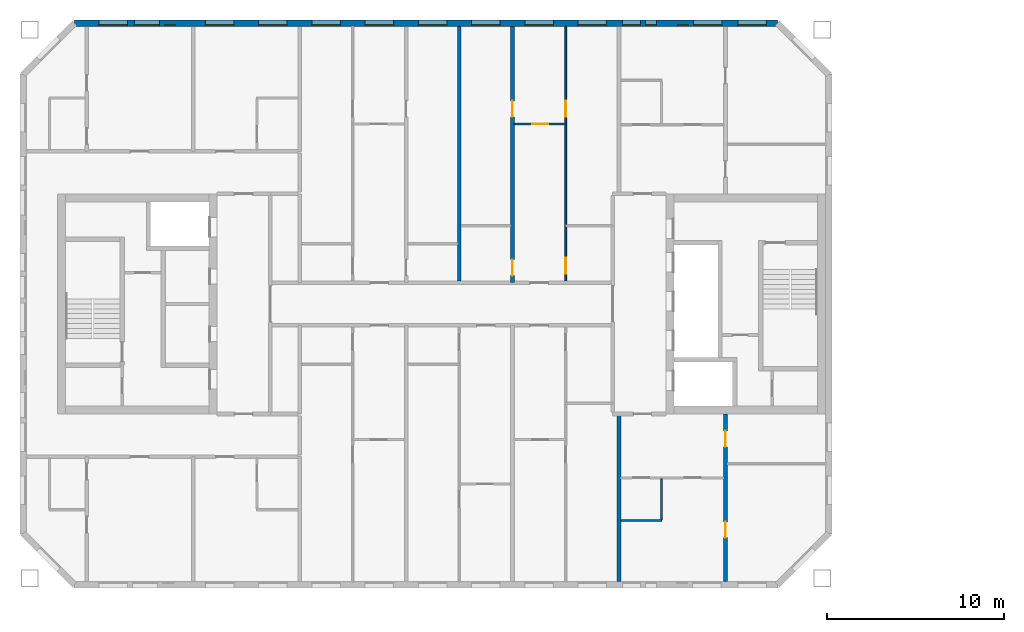
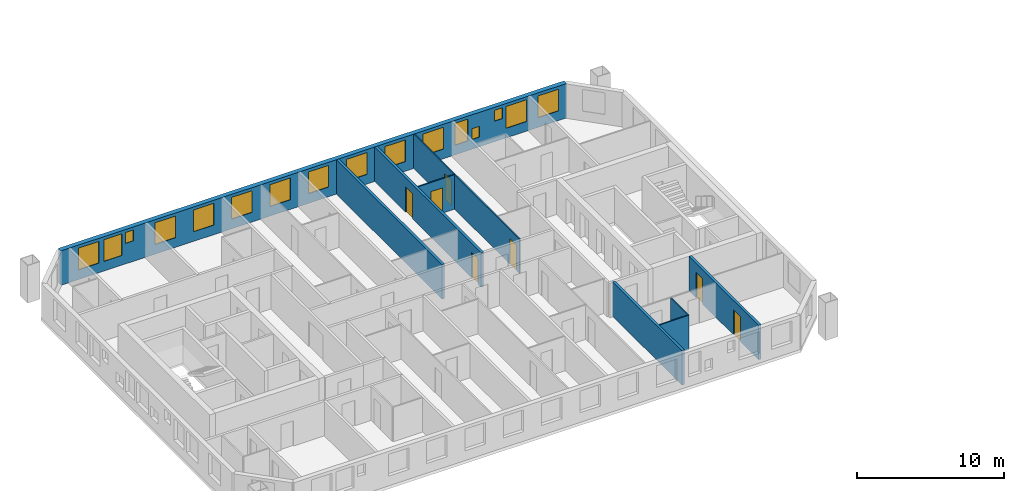
# One storey, part 6 of 16: 16 windows, 9 walls, 7 doors, 23 openings.
"""IFC4 building model written with IfcOpenShell, lengths in metres."""

from ifc_helpers import new_model, si_unit, direction, frame, frame_2d, origin, place, context, subcontext, project, spatial, rectangle, extrude, material, layer, layer_set, type_object, element, fill, save


model = new_model("IFC4")

# Units and contexts
model_context = context("Model", 3, precision=1e-05, world=origin(), true_north=direction((0.0, 1.0)))
body_context = subcontext(model_context, "Body", "Model", "MODEL_VIEW")
ifc_project = project(units=[si_unit("LENGTHUNIT", "METRE"), si_unit("AREAUNIT", "SQUARE_METRE"), si_unit("VOLUMEUNIT", "CUBIC_METRE"), si_unit("PLANEANGLEUNIT", "RADIAN"), si_unit("MASSUNIT", "GRAM", prefix="KILO")], contexts=[model_context])

# Site, building, storey
site_placement = place(None, origin())
site = spatial("IfcSite", under=ifc_project, at=site_placement, CompositionType="ELEMENT")
building_placement = place(site_placement, origin())
building = spatial("IfcBuilding", under=site, at=building_placement, Name="Tuart Gate Housing", CompositionType="ELEMENT")
storey_placement = place(building_placement, frame((0.0, 0.0, 178.89990234375)))
storey = spatial("IfcBuildingStorey", under=building, at=storey_placement, Name="L50", CompositionType="ELEMENT", Elevation=178.89990234375)

# Wall, openings, windows
ifc_material_1 = material(Name="Brick", Category="masonry")
ifc_layer_1 = layer(ifc_material_1, 0.360107421875)
ifc_layer_set_1 = layer_set([ifc_layer_1], Name="Brick pier and spandrel wall 360")
wall_type_1 = type_object("IfcWallType", Name="Brick pier and spandrel wall 360", PredefinedType="STANDARD", material=ifc_layer_set_1)
wall_1_placement = place(storey_placement, frame((72.92529296875, 85.820068359375, 0.0), z_axis=(0.0, 0.0, 1.0), x_axis=(-1.0, 0.0, 0.0)))
wall_1 = element("IfcWall", 1, at=wall_1_placement, inside=storey, type_object=wall_type_1, Name="External wall A-N L50", PredefinedType="STANDARD", context=body_context, shape_type="SweptSolid", body=[
    extrude(rectangle(XDim=39.600830078125, YDim=0.360107421875, at=frame_2d((19.80029296875, 0.0))), origin(), (0.0, 0.0, 1.0), 2.85009765625),
])
opening_1_placement = place(wall_1_placement, frame((0.62548828125, 0.0, 0.800048828125)))
opening_1 = element("IfcOpeningElement", 2, at=opening_1_placement, cuts=wall_1, Name="Opening W1", PredefinedType="OPENING", context=body_context, shape_type="SweptSolid", body=[
    extrude(rectangle(XDim=1.60009765625, YDim=1.800048828125, at=frame_2d((0.800048828125, 0.89990234375))), frame((0.0, 0.18994140625, 0.0), z_axis=(0.0, -1.0, 0.0), x_axis=(1.0, 0.0, 0.0)), (0.0, 0.0, 1.0), 0.380126953125),
])
opening_2_placement = place(wall_1_placement, frame((3.12548828125, 0.0, 0.800048828125)))
opening_2 = element("IfcOpeningElement", 3, at=opening_2_placement, cuts=wall_1, Name="Opening W1", PredefinedType="OPENING", context=body_context, shape_type="SweptSolid", body=[
    extrude(rectangle(XDim=1.60009765625, YDim=1.800048828125, at=frame_2d((0.800048828125, 0.89990234375))), frame((0.0, 0.18994140625, 0.0), z_axis=(0.0, -1.0, 0.0), x_axis=(1.0, 0.0, 0.0)), (0.0, 0.0, 1.0), 0.380126953125),
])
opening_3_placement = place(wall_1_placement, frame((5.025390625, 0.0, 1.699951171875)))
opening_3 = element("IfcOpeningElement", 4, at=opening_3_placement, cuts=wall_1, Name="Opening W1W", PredefinedType="OPENING", context=body_context, shape_type="SweptSolid", body=[
    extrude(rectangle(XDim=0.60009765625, YDim=0.89990234375, at=frame_2d((0.300048828125, 0.449951171875))), frame((0.0, 0.18994140625, 0.0), z_axis=(0.0, -1.0, 0.0), x_axis=(1.0, 0.0, 0.0)), (0.0, 0.0, 1.0), 0.380126953125),
])
opening_4_placement = place(wall_1_placement, frame((9.62548828125, 0.0, 0.800048828125)))
opening_4 = element("IfcOpeningElement", 5, at=opening_4_placement, cuts=wall_1, Name="Opening W1", PredefinedType="OPENING", context=body_context, shape_type="SweptSolid", body=[
    extrude(rectangle(XDim=1.60009765625, YDim=1.800048828125, at=frame_2d((0.800048828125, 0.89990234375))), frame((0.0, 0.18994140625, 0.0), z_axis=(0.0, -1.0, 0.0), x_axis=(1.0, 0.0, 0.0)), (0.0, 0.0, 1.0), 0.380126953125),
])
opening_5_placement = place(wall_1_placement, frame((12.62548828125, 0.0, 0.800048828125)))
opening_5 = element("IfcOpeningElement", 6, at=opening_5_placement, cuts=wall_1, Name="Opening W1", PredefinedType="OPENING", context=body_context, shape_type="SweptSolid", body=[
    extrude(rectangle(XDim=1.60009765625, YDim=1.800048828125, at=frame_2d((0.800048828125, 0.89990234375))), frame((0.0, 0.18994140625, 0.0), z_axis=(0.0, -1.0, 0.0), x_axis=(1.0, 0.0, 0.0)), (0.0, 0.0, 1.0), 0.380126953125),
])
opening_6_placement = place(wall_1_placement, frame((15.62548828125, 0.0, 0.800048828125)))
opening_6 = element("IfcOpeningElement", 7, at=opening_6_placement, cuts=wall_1, Name="Opening W1", PredefinedType="OPENING", context=body_context, shape_type="SweptSolid", body=[
    extrude(rectangle(XDim=1.60009765625, YDim=1.800048828125, at=frame_2d((0.800048828125, 0.89990234375))), frame((0.0, 0.18994140625, 0.0), z_axis=(0.0, -1.0, 0.0), x_axis=(1.0, 0.0, 0.0)), (0.0, 0.0, 1.0), 0.380126953125),
])
opening_7_placement = place(wall_1_placement, frame((18.62548828125, 0.0, 0.800048828125)))
opening_7 = element("IfcOpeningElement", 8, at=opening_7_placement, cuts=wall_1, Name="Opening W1", PredefinedType="OPENING", context=body_context, shape_type="SweptSolid", body=[
    extrude(rectangle(XDim=1.60009765625, YDim=1.800048828125, at=frame_2d((0.800048828125, 0.89990234375))), frame((0.0, 0.18994140625, 0.0), z_axis=(0.0, -1.0, 0.0), x_axis=(1.0, 0.0, 0.0)), (0.0, 0.0, 1.0), 0.380126953125),
])
opening_8_placement = place(wall_1_placement, frame((21.62548828125, 0.0, 0.800048828125)))
opening_8 = element("IfcOpeningElement", 9, at=opening_8_placement, cuts=wall_1, Name="Opening W1", PredefinedType="OPENING", context=body_context, shape_type="SweptSolid", body=[
    extrude(rectangle(XDim=1.60009765625, YDim=1.800048828125, at=frame_2d((0.800048828125, 0.89990234375))), frame((0.0, 0.18994140625, 0.0), z_axis=(0.0, -1.0, 0.0), x_axis=(1.0, 0.0, 0.0)), (0.0, 0.0, 1.0), 0.380126953125),
])
opening_9_placement = place(wall_1_placement, frame((24.62548828125, 0.0, 0.800048828125)))
opening_9 = element("IfcOpeningElement", 10, at=opening_9_placement, cuts=wall_1, Name="Opening W1", PredefinedType="OPENING", context=body_context, shape_type="SweptSolid", body=[
    extrude(rectangle(XDim=1.60009765625, YDim=1.800048828125, at=frame_2d((0.800048828125, 0.89990234375))), frame((0.0, 0.18994140625, 0.0), z_axis=(0.0, -1.0, 0.0), x_axis=(1.0, 0.0, 0.0)), (0.0, 0.0, 1.0), 0.380126953125),
])
opening_10_placement = place(wall_1_placement, frame((27.62548828125, 0.0, 0.800048828125)))
opening_10 = element("IfcOpeningElement", 11, at=opening_10_placement, cuts=wall_1, Name="Opening W1", PredefinedType="OPENING", context=body_context, shape_type="SweptSolid", body=[
    extrude(rectangle(XDim=1.60009765625, YDim=1.800048828125, at=frame_2d((0.800048828125, 0.89990234375))), frame((0.0, 0.18994140625, 0.0), z_axis=(0.0, -1.0, 0.0), x_axis=(1.0, 0.0, 0.0)), (0.0, 0.0, 1.0), 0.380126953125),
])
opening_11_placement = place(wall_1_placement, frame((30.62548828125, 0.0, 0.800048828125)))
opening_11 = element("IfcOpeningElement", 12, at=opening_11_placement, cuts=wall_1, Name="Opening W1", PredefinedType="OPENING", context=body_context, shape_type="SweptSolid", body=[
    extrude(rectangle(XDim=1.60009765625, YDim=1.800048828125, at=frame_2d((0.800048828125, 0.89990234375))), frame((0.0, 0.18994140625, 0.0), z_axis=(0.0, -1.0, 0.0), x_axis=(1.0, 0.0, 0.0)), (0.0, 0.0, 1.0), 0.380126953125),
])
opening_12_placement = place(wall_1_placement, frame((33.92529296875, 0.0, 1.699951171875)))
opening_12 = element("IfcOpeningElement", 13, at=opening_12_placement, cuts=wall_1, Name="Opening W1W", PredefinedType="OPENING", context=body_context, shape_type="SweptSolid", body=[
    extrude(rectangle(XDim=0.60009765625, YDim=0.89990234375, at=frame_2d((0.300048828125, 0.449951171875))), frame((0.0, 0.18994140625, 0.0), z_axis=(0.0, -1.0, 0.0), x_axis=(1.0, 0.0, 0.0)), (0.0, 0.0, 1.0), 0.380126953125),
])
opening_13_placement = place(wall_1_placement, frame((36.62548828125, 0.0, 0.800048828125)))
opening_13 = element("IfcOpeningElement", 14, at=opening_13_placement, cuts=wall_1, Name="Opening W1", PredefinedType="OPENING", context=body_context, shape_type="SweptSolid", body=[
    extrude(rectangle(XDim=1.60009765625, YDim=1.800048828125, at=frame_2d((0.800048828125, 0.89990234375))), frame((0.0, 0.18994140625, 0.0), z_axis=(0.0, -1.0, 0.0), x_axis=(1.0, 0.0, 0.0)), (0.0, 0.0, 1.0), 0.380126953125),
])
opening_14_placement = place(wall_1_placement, frame((6.825439453125, 0.0, 0.800048828125)))
opening_14 = element("IfcOpeningElement", 15, at=opening_14_placement, cuts=wall_1, Name="Opening W1W", PredefinedType="OPENING", context=body_context, shape_type="SweptSolid", body=[
    extrude(rectangle(XDim=0.60009765625, YDim=0.89990234375, at=frame_2d((0.300048828125, 0.449951171875))), frame((0.0, 0.18994140625, 0.0), z_axis=(0.0, -1.0, 0.0), x_axis=(1.0, 0.0, 0.0)), (0.0, 0.0, 1.0), 0.380126953125),
])
opening_15_placement = place(wall_1_placement, frame((7.725341796875, 0.0, 0.800048828125)))
opening_15 = element("IfcOpeningElement", 16, at=opening_15_placement, cuts=wall_1, Name="Opening W1C", PredefinedType="OPENING", context=body_context, shape_type="SweptSolid", body=[
    extrude(rectangle(XDim=1.0, YDim=1.800048828125, at=frame_2d((0.5, 0.89990234375))), frame((0.0, 0.18994140625, 0.0), z_axis=(0.0, -1.0, 0.0), x_axis=(1.0, 0.0, 0.0)), (0.0, 0.0, 1.0), 0.380126953125),
])
opening_16_placement = place(wall_1_placement, frame((34.825439453125, 0.0, 0.800048828125)))
opening_16 = element("IfcOpeningElement", 17, at=opening_16_placement, cuts=wall_1, Name="Opening W1A", PredefinedType="OPENING", context=body_context, shape_type="SweptSolid", body=[
    extrude(rectangle(XDim=1.39990234375, YDim=1.800048828125, at=frame_2d((0.699951171875, 0.89990234375))), frame((0.0, 0.18994140625, 0.0), z_axis=(0.0, -1.0, 0.0), x_axis=(1.0, 0.0, 0.0)), (0.0, 0.0, 1.0), 0.380126953125),
])
ifc_material_2 = material(Name="Aluminium frame with clear glass", Category="aluminium")
window_type_1 = type_object("IfcWindowType", Name="Punched window 1000 x 1800", PartitioningType="SINGLE_PANEL", PredefinedType="WINDOW", material=ifc_material_2)
window_1_placement = place(opening_15_placement, origin())
window_1 = element("IfcWindow", 18, at=window_1_placement, inside=storey, type_object=window_type_1, Name="Window W1C", OverallHeight=1.800048828125, OverallWidth=1.0, PartitioningType="SINGLE_PANEL", PredefinedType="WINDOW", context=body_context, shape_type="SweptSolid", body=[
    extrude(rectangle(XDim=1.0, YDim=1.800048828125, at=frame_2d((0.5, 0.89990234375))), frame((0.0, 0.150146484375, 0.0), z_axis=(0.0, -1.0, 0.0), x_axis=(1.0, 0.0, 0.0)), (0.0, 0.0, 1.0), 0.06005859375),
])
fill(opening_15, window_1)
ifc_material_3 = material(Name="Aluminium frame with clear glass", Category="aluminium")
window_type_2 = type_object("IfcWindowType", Name="Punched window 1400 x 1800", PartitioningType="SINGLE_PANEL", PredefinedType="WINDOW", material=ifc_material_3)
window_2_placement = place(opening_16_placement, origin())
window_2 = element("IfcWindow", 19, at=window_2_placement, inside=storey, type_object=window_type_2, Name="Window W1A", OverallHeight=1.800048828125, OverallWidth=1.39990234375, PartitioningType="SINGLE_PANEL", PredefinedType="WINDOW", context=body_context, shape_type="SweptSolid", body=[
    extrude(rectangle(XDim=1.39990234375, YDim=1.800048828125, at=frame_2d((0.699951171875, 0.89990234375))), frame((0.0, 0.150146484375, 0.0), z_axis=(0.0, -1.0, 0.0), x_axis=(1.0, 0.0, 0.0)), (0.0, 0.0, 1.0), 0.06005859375),
])
fill(opening_16, window_2)
ifc_material_4 = material(Name="Aluminium frame with clear glass", Category="aluminium")
window_type_3 = type_object("IfcWindowType", Name="Punched window 1600 x 1800", PartitioningType="SINGLE_PANEL", PredefinedType="WINDOW", material=ifc_material_4)
window_3_placement = place(opening_1_placement, origin())
window_3 = element("IfcWindow", 20, at=window_3_placement, inside=storey, type_object=window_type_3, Name="Window W1", OverallHeight=1.800048828125, OverallWidth=1.60009765625, PartitioningType="SINGLE_PANEL", PredefinedType="WINDOW", context=body_context, shape_type="SweptSolid", body=[
    extrude(rectangle(XDim=1.60009765625, YDim=1.800048828125, at=frame_2d((0.800048828125, 0.89990234375))), frame((0.0, 0.150146484375, 0.0), z_axis=(0.0, -1.0, 0.0), x_axis=(1.0, 0.0, 0.0)), (0.0, 0.0, 1.0), 0.06005859375),
])
fill(opening_1, window_3)
window_4_placement = place(opening_2_placement, origin())
window_4 = element("IfcWindow", 21, at=window_4_placement, inside=storey, type_object=window_type_3, Name="Window W1", OverallHeight=1.800048828125, OverallWidth=1.60009765625, PartitioningType="SINGLE_PANEL", PredefinedType="WINDOW", context=body_context, shape_type="SweptSolid", body=[
    extrude(rectangle(XDim=1.60009765625, YDim=1.800048828125, at=frame_2d((0.800048828125, 0.89990234375))), frame((0.0, 0.150146484375, 0.0), z_axis=(0.0, -1.0, 0.0), x_axis=(1.0, 0.0, 0.0)), (0.0, 0.0, 1.0), 0.06005859375),
])
fill(opening_2, window_4)
window_5_placement = place(opening_4_placement, origin())
window_5 = element("IfcWindow", 22, at=window_5_placement, inside=storey, type_object=window_type_3, Name="Window W1", OverallHeight=1.800048828125, OverallWidth=1.60009765625, PartitioningType="SINGLE_PANEL", PredefinedType="WINDOW", context=body_context, shape_type="SweptSolid", body=[
    extrude(rectangle(XDim=1.60009765625, YDim=1.800048828125, at=frame_2d((0.800048828125, 0.89990234375))), frame((0.0, 0.150146484375, 0.0), z_axis=(0.0, -1.0, 0.0), x_axis=(1.0, 0.0, 0.0)), (0.0, 0.0, 1.0), 0.06005859375),
])
fill(opening_4, window_5)
window_6_placement = place(opening_5_placement, origin())
window_6 = element("IfcWindow", 23, at=window_6_placement, inside=storey, type_object=window_type_3, Name="Window W1", OverallHeight=1.800048828125, OverallWidth=1.60009765625, PartitioningType="SINGLE_PANEL", PredefinedType="WINDOW", context=body_context, shape_type="SweptSolid", body=[
    extrude(rectangle(XDim=1.60009765625, YDim=1.800048828125, at=frame_2d((0.800048828125, 0.89990234375))), frame((0.0, 0.150146484375, 0.0), z_axis=(0.0, -1.0, 0.0), x_axis=(1.0, 0.0, 0.0)), (0.0, 0.0, 1.0), 0.06005859375),
])
fill(opening_5, window_6)
window_7_placement = place(opening_6_placement, origin())
window_7 = element("IfcWindow", 24, at=window_7_placement, inside=storey, type_object=window_type_3, Name="Window W1", OverallHeight=1.800048828125, OverallWidth=1.60009765625, PartitioningType="SINGLE_PANEL", PredefinedType="WINDOW", context=body_context, shape_type="SweptSolid", body=[
    extrude(rectangle(XDim=1.60009765625, YDim=1.800048828125, at=frame_2d((0.800048828125, 0.89990234375))), frame((0.0, 0.150146484375, 0.0), z_axis=(0.0, -1.0, 0.0), x_axis=(1.0, 0.0, 0.0)), (0.0, 0.0, 1.0), 0.06005859375),
])
fill(opening_6, window_7)
window_8_placement = place(opening_7_placement, origin())
window_8 = element("IfcWindow", 25, at=window_8_placement, inside=storey, type_object=window_type_3, Name="Window W1", OverallHeight=1.800048828125, OverallWidth=1.60009765625, PartitioningType="SINGLE_PANEL", PredefinedType="WINDOW", context=body_context, shape_type="SweptSolid", body=[
    extrude(rectangle(XDim=1.60009765625, YDim=1.800048828125, at=frame_2d((0.800048828125, 0.89990234375))), frame((0.0, 0.150146484375, 0.0), z_axis=(0.0, -1.0, 0.0), x_axis=(1.0, 0.0, 0.0)), (0.0, 0.0, 1.0), 0.06005859375),
])
fill(opening_7, window_8)
window_9_placement = place(opening_8_placement, origin())
window_9 = element("IfcWindow", 26, at=window_9_placement, inside=storey, type_object=window_type_3, Name="Window W1", OverallHeight=1.800048828125, OverallWidth=1.60009765625, PartitioningType="SINGLE_PANEL", PredefinedType="WINDOW", context=body_context, shape_type="SweptSolid", body=[
    extrude(rectangle(XDim=1.60009765625, YDim=1.800048828125, at=frame_2d((0.800048828125, 0.89990234375))), frame((0.0, 0.150146484375, 0.0), z_axis=(0.0, -1.0, 0.0), x_axis=(1.0, 0.0, 0.0)), (0.0, 0.0, 1.0), 0.06005859375),
])
fill(opening_8, window_9)
window_10_placement = place(opening_9_placement, origin())
window_10 = element("IfcWindow", 27, at=window_10_placement, inside=storey, type_object=window_type_3, Name="Window W1", OverallHeight=1.800048828125, OverallWidth=1.60009765625, PartitioningType="SINGLE_PANEL", PredefinedType="WINDOW", context=body_context, shape_type="SweptSolid", body=[
    extrude(rectangle(XDim=1.60009765625, YDim=1.800048828125, at=frame_2d((0.800048828125, 0.89990234375))), frame((0.0, 0.150146484375, 0.0), z_axis=(0.0, -1.0, 0.0), x_axis=(1.0, 0.0, 0.0)), (0.0, 0.0, 1.0), 0.06005859375),
])
fill(opening_9, window_10)
window_11_placement = place(opening_10_placement, origin())
window_11 = element("IfcWindow", 28, at=window_11_placement, inside=storey, type_object=window_type_3, Name="Window W1", OverallHeight=1.800048828125, OverallWidth=1.60009765625, PartitioningType="SINGLE_PANEL", PredefinedType="WINDOW", context=body_context, shape_type="SweptSolid", body=[
    extrude(rectangle(XDim=1.60009765625, YDim=1.800048828125, at=frame_2d((0.800048828125, 0.89990234375))), frame((0.0, 0.150146484375, 0.0), z_axis=(0.0, -1.0, 0.0), x_axis=(1.0, 0.0, 0.0)), (0.0, 0.0, 1.0), 0.06005859375),
])
fill(opening_10, window_11)
window_12_placement = place(opening_11_placement, origin())
window_12 = element("IfcWindow", 29, at=window_12_placement, inside=storey, type_object=window_type_3, Name="Window W1", OverallHeight=1.800048828125, OverallWidth=1.60009765625, PartitioningType="SINGLE_PANEL", PredefinedType="WINDOW", context=body_context, shape_type="SweptSolid", body=[
    extrude(rectangle(XDim=1.60009765625, YDim=1.800048828125, at=frame_2d((0.800048828125, 0.89990234375))), frame((0.0, 0.150146484375, 0.0), z_axis=(0.0, -1.0, 0.0), x_axis=(1.0, 0.0, 0.0)), (0.0, 0.0, 1.0), 0.06005859375),
])
fill(opening_11, window_12)
window_13_placement = place(opening_13_placement, origin())
window_13 = element("IfcWindow", 30, at=window_13_placement, inside=storey, type_object=window_type_3, Name="Window W1", OverallHeight=1.800048828125, OverallWidth=1.60009765625, PartitioningType="SINGLE_PANEL", PredefinedType="WINDOW", context=body_context, shape_type="SweptSolid", body=[
    extrude(rectangle(XDim=1.60009765625, YDim=1.800048828125, at=frame_2d((0.800048828125, 0.89990234375))), frame((0.0, 0.150146484375, 0.0), z_axis=(0.0, -1.0, 0.0), x_axis=(1.0, 0.0, 0.0)), (0.0, 0.0, 1.0), 0.06005859375),
])
fill(opening_13, window_13)
ifc_material_5 = material(Name="Aluminium frame with clear glass", Category="aluminium")
window_type_4 = type_object("IfcWindowType", Name="Punched window 600 x 900", PartitioningType="SINGLE_PANEL", PredefinedType="WINDOW", material=ifc_material_5)
window_14_placement = place(opening_3_placement, origin())
window_14 = element("IfcWindow", 31, at=window_14_placement, inside=storey, type_object=window_type_4, Name="Window W1W", OverallHeight=0.89990234375, OverallWidth=0.60009765625, PartitioningType="SINGLE_PANEL", PredefinedType="WINDOW", context=body_context, shape_type="SweptSolid", body=[
    extrude(rectangle(XDim=0.60009765625, YDim=0.89990234375, at=frame_2d((0.300048828125, 0.449951171875))), frame((0.0, 0.150146484375, 0.0), z_axis=(0.0, -1.0, 0.0), x_axis=(1.0, 0.0, 0.0)), (0.0, 0.0, 1.0), 0.06005859375),
])
fill(opening_3, window_14)
window_15_placement = place(opening_12_placement, origin())
window_15 = element("IfcWindow", 32, at=window_15_placement, inside=storey, type_object=window_type_4, Name="Window W1W", OverallHeight=0.89990234375, OverallWidth=0.60009765625, PartitioningType="SINGLE_PANEL", PredefinedType="WINDOW", context=body_context, shape_type="SweptSolid", body=[
    extrude(rectangle(XDim=0.60009765625, YDim=0.89990234375, at=frame_2d((0.300048828125, 0.449951171875))), frame((0.0, 0.150146484375, 0.0), z_axis=(0.0, -1.0, 0.0), x_axis=(1.0, 0.0, 0.0)), (0.0, 0.0, 1.0), 0.06005859375),
])
fill(opening_12, window_15)
window_16_placement = place(opening_14_placement, origin())
window_16 = element("IfcWindow", 33, at=window_16_placement, inside=storey, type_object=window_type_4, Name="Window W1W", OverallHeight=0.89990234375, OverallWidth=0.60009765625, PartitioningType="SINGLE_PANEL", PredefinedType="WINDOW", context=body_context, shape_type="SweptSolid", body=[
    extrude(rectangle(XDim=0.60009765625, YDim=0.89990234375, at=frame_2d((0.300048828125, 0.449951171875))), frame((0.0, 0.150146484375, 0.0), z_axis=(0.0, -1.0, 0.0), x_axis=(1.0, 0.0, 0.0)), (0.0, 0.0, 1.0), 0.06005859375),
])
fill(opening_14, window_16)

# Wall
ifc_material_6 = material(Name="Gypsum board on steel studs", Category="steel")
ifc_layer_2 = layer(ifc_material_6, 0.10009765625)
ifc_layer_set_2 = layer_set([ifc_layer_2], Name="Partition 100")
wall_type_2 = type_object("IfcWallType", Name="Partition 100", PredefinedType="PARTITIONING", material=ifc_layer_set_2)
wall_2_placement = place(storey_placement, frame((64.10009765625, 57.800048828125, 0.0), z_axis=(0.0, 0.0, 1.0), x_axis=(1.0, 0.0, 0.0)))
element("IfcWall", 34, at=wall_2_placement, inside=storey, type_object=wall_type_2, Name="Partition 100", PredefinedType="PARTITIONING", context=body_context, shape_type="SweptSolid", body=[
    extrude(rectangle(XDim=2.2998046875, YDim=0.10009765625, at=frame_2d((1.14990234375, 0.0))), origin(), (0.0, 0.0, 1.0), 2.85009765625),
])

# Wall, opening, door
wall_3_placement = place(storey_placement, frame((58.10009765625, 80.139892578125, 0.0), z_axis=(0.0, 0.0, 1.0), x_axis=(1.0, 0.0, 0.0)))
wall_3 = element("IfcWall", 35, at=wall_3_placement, inside=storey, type_object=wall_type_2, Name="Partition 100", PredefinedType="PARTITIONING", context=body_context, shape_type="SweptSolid", body=[
    extrude(rectangle(XDim=2.89990234375, YDim=0.10009765625, at=frame_2d((1.449951171875, 0.0))), origin(), (0.0, 0.0, 1.0), 2.85009765625),
])
opening_17_placement = place(wall_3_placement, frame((1.0, 0.0, 0.0)))
opening_17 = element("IfcOpeningElement", 36, at=opening_17_placement, cuts=wall_3, Name="Opening D1738", PredefinedType="OPENING", context=body_context, shape_type="SweptSolid", body=[
    extrude(rectangle(XDim=0.89990234375, YDim=2.10009765625, at=frame_2d((0.449951171875, 1.050048828125))), frame((0.0, 0.06005859375, 0.0), z_axis=(0.0, -1.0, 0.0), x_axis=(1.0, 0.0, 0.0)), (0.0, 0.0, 1.0), 0.1201171875),
])
ifc_material_7 = material(Name="Timber door leaf in steel frame", Category="steel")
door_type_1 = type_object("IfcDoorType", Name="Internal door 900", OperationType="SINGLE_SWING_LEFT", PredefinedType="DOOR", material=ifc_material_7)
door_1_placement = place(opening_17_placement, frame((0.89990234375, 0.0, 0.0), z_axis=(0.0, 0.0, 1.0), x_axis=(-1.0, 0.0, 0.0)))
door_1 = element("IfcDoor", 37, at=door_1_placement, inside=storey, type_object=door_type_1, Name="Internal door", OperationType="SINGLE_SWING_LEFT", OverallHeight=2.10009765625, OverallWidth=0.89990234375, PredefinedType="DOOR", context=body_context, shape_type="SweptSolid", body=[
    extrude(rectangle(XDim=0.89990234375, YDim=2.10009765625, at=frame_2d((0.449951171875, 1.050048828125))), frame((0.0, 0.025146484375, 0.0), z_axis=(0.0, -1.0, 0.0), x_axis=(1.0, 0.0, 0.0)), (0.0, 0.0, 1.0), 0.050048828125),
])
fill(opening_17, door_1)

# Wall, openings, doors
wall_4_placement = place(storey_placement, frame((61.0, 71.300048828125, 0.0), z_axis=(0.0, 0.0, 1.0), x_axis=(0.0, 1.0, 0.0)))
wall_4 = element("IfcWall", 38, at=wall_4_placement, inside=storey, type_object=wall_type_2, Name="Partition 100", PredefinedType="PARTITIONING", context=body_context, shape_type="SweptSolid", body=[
    extrude(rectangle(XDim=14.33984375, YDim=0.10009765625, at=frame_2d((7.169921875, 0.0))), origin(), (0.0, 0.0, 1.0), 2.85009765625),
])
opening_18_placement = place(wall_4_placement, frame((9.239990234375, 0.0, 0.0)))
opening_18 = element("IfcOpeningElement", 39, at=opening_18_placement, cuts=wall_4, Name="Opening D1747", PredefinedType="OPENING", context=body_context, shape_type="SweptSolid", body=[
    extrude(rectangle(XDim=0.89990234375, YDim=2.10009765625, at=frame_2d((0.449951171875, 1.050048828125))), frame((0.0, 0.06005859375, 0.0), z_axis=(0.0, -1.0, 0.0), x_axis=(1.0, 0.0, 0.0)), (0.0, 0.0, 1.0), 0.1201171875),
])
opening_19_placement = place(wall_4_placement, frame((0.39990234375, 0.0, 0.0)))
opening_19 = element("IfcOpeningElement", 40, at=opening_19_placement, cuts=wall_4, Name="Opening D1746", PredefinedType="OPENING", context=body_context, shape_type="SweptSolid", body=[
    extrude(rectangle(XDim=0.89990234375, YDim=2.10009765625, at=frame_2d((0.449951171875, 1.050048828125))), frame((0.0, 0.06005859375, 0.0), z_axis=(0.0, -1.0, 0.0), x_axis=(1.0, 0.0, 0.0)), (0.0, 0.0, 1.0), 0.1201171875),
])
ifc_material_8 = material(Name="Timber door leaf in steel frame", Category="steel")
door_type_2 = type_object("IfcDoorType", Name="Bathroom door 900 RH", OperationType="SINGLE_SWING_RIGHT", PredefinedType="DOOR", material=ifc_material_8)
door_2_placement = place(opening_19_placement, frame((0.89990234375, 0.0, 0.0), z_axis=(0.0, 0.0, 1.0), x_axis=(-1.0, 0.0, 0.0)))
door_2 = element("IfcDoor", 41, at=door_2_placement, inside=storey, type_object=door_type_2, Name="Bathroom door", OperationType="SINGLE_SWING_RIGHT", OverallHeight=2.10009765625, OverallWidth=0.89990234375, PredefinedType="DOOR", context=body_context, shape_type="SweptSolid", body=[
    extrude(rectangle(XDim=0.89990234375, YDim=2.10009765625, at=frame_2d((0.449951171875, 1.050048828125))), frame((0.0, 0.025146484375, 0.0), z_axis=(0.0, -1.0, 0.0), x_axis=(1.0, 0.0, 0.0)), (0.0, 0.0, 1.0), 0.050048828125),
])
fill(opening_19, door_2)
door_3_placement = place(opening_18_placement, frame((0.89990234375, 0.0, 0.0), z_axis=(0.0, 0.0, 1.0), x_axis=(-1.0, 0.0, 0.0)))
door_3 = element("IfcDoor", 42, at=door_3_placement, inside=storey, type_object=door_type_1, Name="Internal door", OperationType="SINGLE_SWING_LEFT", OverallHeight=2.10009765625, OverallWidth=0.89990234375, PredefinedType="DOOR", context=body_context, shape_type="SweptSolid", body=[
    extrude(rectangle(XDim=0.89990234375, YDim=2.10009765625, at=frame_2d((0.449951171875, 1.050048828125))), frame((0.0, 0.025146484375, 0.0), z_axis=(0.0, -1.0, 0.0), x_axis=(1.0, 0.0, 0.0)), (0.0, 0.0, 1.0), 0.050048828125),
])
fill(opening_18, door_3)

# Wall
wall_5_placement = place(storey_placement, frame((66.39990234375, 57.85009765625, 0.0), z_axis=(0.0, 0.0, 1.0), x_axis=(0.0, 1.0, 0.0)))
element("IfcWall", 43, at=wall_5_placement, inside=storey, type_object=wall_type_2, Name="Partition 100", PredefinedType="PARTITIONING", context=body_context, shape_type="SweptSolid", body=[
    extrude(rectangle(XDim=2.2998046875, YDim=0.10009765625, at=frame_2d((1.14990234375, 0.0))), origin(), (0.0, 0.0, 1.0), 2.85009765625),
])

# Wall, openings, doors
ifc_material_9 = material(Name="Concrete C40", Category="concrete")
ifc_layer_3 = layer(ifc_material_9, 0.199951171875)
ifc_layer_set_3 = layer_set([ifc_layer_3], Name="Party wall concrete C40 200")
wall_type_3 = type_object("IfcWallType", Name="Party wall concrete C40 200", PredefinedType="SOLIDWALL", material=ifc_layer_set_3)
wall_6_placement = place(storey_placement, frame((58.0, 71.199951171875, 0.0), z_axis=(0.0, 0.0, 1.0), x_axis=(0.0, 1.0, 0.0)))
wall_6 = element("IfcWall", 44, at=wall_6_placement, inside=storey, type_object=wall_type_3, Name="Party wall concrete C40 200", PredefinedType="SOLIDWALL", context=body_context, shape_type="SweptSolid", body=[
    extrude(rectangle(XDim=14.43994140625, YDim=0.199951171875, at=frame_2d((7.219970703125, 0.0))), origin(), (0.0, 0.0, 1.0), 2.85009765625),
])
opening_20_placement = place(wall_6_placement, frame((9.340087890625, 0.0, 0.0)))
opening_20 = element("IfcOpeningElement", 45, at=opening_20_placement, cuts=wall_6, Name="Opening D1751", PredefinedType="OPENING", context=body_context, shape_type="SweptSolid", body=[
    extrude(rectangle(XDim=0.89990234375, YDim=2.10009765625, at=frame_2d((0.449951171875, 1.050048828125))), frame((0.0, 0.10986328125, 0.0), z_axis=(0.0, -1.0, 0.0), x_axis=(1.0, 0.0, 0.0)), (0.0, 0.0, 1.0), 0.219970703125),
])
opening_21_placement = place(wall_6_placement, frame((0.39990234375, 0.0, 0.0)))
opening_21 = element("IfcOpeningElement", 46, at=opening_21_placement, cuts=wall_6, Name="Opening D1750", PredefinedType="OPENING", context=body_context, shape_type="SweptSolid", body=[
    extrude(rectangle(XDim=0.89990234375, YDim=2.10009765625, at=frame_2d((0.449951171875, 1.050048828125))), frame((0.0, 0.10986328125, 0.0), z_axis=(0.0, -1.0, 0.0), x_axis=(1.0, 0.0, 0.0)), (0.0, 0.0, 1.0), 0.219970703125),
])
ifc_material_10 = material(Name="Timber door leaf in steel frame", Category="steel")
door_type_3 = type_object("IfcDoorType", Name="Bathroom door 900", OperationType="SINGLE_SWING_LEFT", PredefinedType="DOOR", material=ifc_material_10)
door_4_placement = place(opening_21_placement, origin())
door_4 = element("IfcDoor", 47, at=door_4_placement, inside=storey, type_object=door_type_3, Name="Bathroom door", OperationType="SINGLE_SWING_LEFT", OverallHeight=2.10009765625, OverallWidth=0.89990234375, PredefinedType="DOOR", context=body_context, shape_type="SweptSolid", body=[
    extrude(rectangle(XDim=0.89990234375, YDim=2.10009765625, at=frame_2d((0.449951171875, 1.050048828125))), frame((0.0, 0.02490234375, 0.0), z_axis=(0.0, -1.0, 0.0), x_axis=(1.0, 0.0, 0.0)), (0.0, 0.0, 1.0), 0.050048828125),
])
fill(opening_21, door_4)
ifc_material_11 = material(Name="Timber door leaf in steel frame", Category="steel")
door_type_4 = type_object("IfcDoorType", Name="Internal door 900 RH", OperationType="SINGLE_SWING_RIGHT", PredefinedType="DOOR", material=ifc_material_11)
door_5_placement = place(opening_20_placement, origin())
door_5 = element("IfcDoor", 48, at=door_5_placement, inside=storey, type_object=door_type_4, Name="Internal door", OperationType="SINGLE_SWING_RIGHT", OverallHeight=2.10009765625, OverallWidth=0.89990234375, PredefinedType="DOOR", context=body_context, shape_type="SweptSolid", body=[
    extrude(rectangle(XDim=0.89990234375, YDim=2.10009765625, at=frame_2d((0.449951171875, 1.050048828125))), frame((0.0, 0.02490234375, 0.0), z_axis=(0.0, -1.0, 0.0), x_axis=(1.0, 0.0, 0.0)), (0.0, 0.0, 1.0), 0.050048828125),
])
fill(opening_20, door_5)

# Wall
wall_7_placement = place(storey_placement, frame((64.0, 54.360107421875, 0.0), z_axis=(0.0, 0.0, 1.0), x_axis=(0.0, 1.0, 0.0)))
element("IfcWall", 49, at=wall_7_placement, inside=storey, type_object=wall_type_3, Name="Party wall concrete C40 200", PredefinedType="SOLIDWALL", context=body_context, shape_type="SweptSolid", body=[
    extrude(rectangle(XDim=9.43994140625, YDim=0.199951171875, at=frame_2d((4.719970703125, 0.0))), origin(), (0.0, 0.0, 1.0), 2.85009765625),
])

# Wall, openings, doors
wall_8_placement = place(storey_placement, frame((70.0, 54.360107421875, 0.0), z_axis=(0.0, 0.0, 1.0), x_axis=(0.0, 1.0, 0.0)))
wall_8 = element("IfcWall", 50, at=wall_8_placement, inside=storey, type_object=wall_type_3, Name="Party wall concrete C40 200", PredefinedType="SOLIDWALL", context=body_context, shape_type="SweptSolid", body=[
    extrude(rectangle(XDim=9.43994140625, YDim=0.199951171875, at=frame_2d((4.719970703125, 0.0))), origin(), (0.0, 0.0, 1.0), 2.85009765625),
])
opening_22_placement = place(wall_8_placement, frame((2.469970703125, 0.0, 0.0)))
opening_22 = element("IfcOpeningElement", 51, at=opening_22_placement, cuts=wall_8, Name="Opening D1787", PredefinedType="OPENING", context=body_context, shape_type="SweptSolid", body=[
    extrude(rectangle(XDim=0.89990234375, YDim=2.10009765625, at=frame_2d((0.449951171875, 1.050048828125))), frame((0.0, 0.10986328125, 0.0), z_axis=(0.0, -1.0, 0.0), x_axis=(1.0, 0.0, 0.0)), (0.0, 0.0, 1.0), 0.219970703125),
])
opening_23_placement = place(wall_8_placement, frame((7.590087890625, 0.0, 0.0)))
opening_23 = element("IfcOpeningElement", 52, at=opening_23_placement, cuts=wall_8, Name="Opening D1788", PredefinedType="OPENING", context=body_context, shape_type="SweptSolid", body=[
    extrude(rectangle(XDim=0.89990234375, YDim=2.10009765625, at=frame_2d((0.449951171875, 1.050048828125))), frame((0.0, 0.10986328125, 0.0), z_axis=(0.0, -1.0, 0.0), x_axis=(1.0, 0.0, 0.0)), (0.0, 0.0, 1.0), 0.219970703125),
])
door_6_placement = place(opening_22_placement, frame((0.89990234375, 0.0, 0.0), z_axis=(0.0, 0.0, 1.0), x_axis=(-1.0, 0.0, 0.0)))
door_6 = element("IfcDoor", 53, at=door_6_placement, inside=storey, type_object=door_type_4, Name="Internal door", OperationType="SINGLE_SWING_RIGHT", OverallHeight=2.10009765625, OverallWidth=0.89990234375, PredefinedType="DOOR", context=body_context, shape_type="SweptSolid", body=[
    extrude(rectangle(XDim=0.89990234375, YDim=2.10009765625, at=frame_2d((0.449951171875, 1.050048828125))), frame((0.0, 0.025146484375, 0.0), z_axis=(0.0, -1.0, 0.0), x_axis=(1.0, 0.0, 0.0)), (0.0, 0.0, 1.0), 0.050048828125),
])
fill(opening_22, door_6)
door_7_placement = place(opening_23_placement, frame((0.89990234375, 0.0, 0.0), z_axis=(0.0, 0.0, 1.0), x_axis=(-1.0, 0.0, 0.0)))
door_7 = element("IfcDoor", 54, at=door_7_placement, inside=storey, type_object=door_type_4, Name="Internal door", OperationType="SINGLE_SWING_RIGHT", OverallHeight=2.10009765625, OverallWidth=0.89990234375, PredefinedType="DOOR", context=body_context, shape_type="SweptSolid", body=[
    extrude(rectangle(XDim=0.89990234375, YDim=2.10009765625, at=frame_2d((0.449951171875, 1.050048828125))), frame((0.0, 0.025146484375, 0.0), z_axis=(0.0, -1.0, 0.0), x_axis=(1.0, 0.0, 0.0)), (0.0, 0.0, 1.0), 0.050048828125),
])
fill(opening_23, door_7)

# Wall
ifc_material_12 = material(Name="Concrete masonry 15 MPa", Category="masonry")
ifc_layer_4 = layer(ifc_material_12, 0.199951171875)
ifc_layer_set_4 = layer_set([ifc_layer_4], Name="Party wall masonry 200")
wall_type_4 = type_object("IfcWallType", Name="Party wall masonry 200", PredefinedType="PARTITIONING", material=ifc_layer_set_4)
wall_9_placement = place(storey_placement, frame((55.0, 71.300048828125, 0.0), z_axis=(0.0, 0.0, 1.0), x_axis=(0.0, 1.0, 0.0)))
element("IfcWall", 55, at=wall_9_placement, inside=storey, type_object=wall_type_4, Name="Party wall masonry 200", PredefinedType="PARTITIONING", context=body_context, shape_type="SweptSolid", body=[
    extrude(rectangle(XDim=14.33984375, YDim=0.199951171875, at=frame_2d((7.169921875, 0.0))), origin(), (0.0, 0.0, 1.0), 2.85009765625),
])

save(model, "model.ifc")
